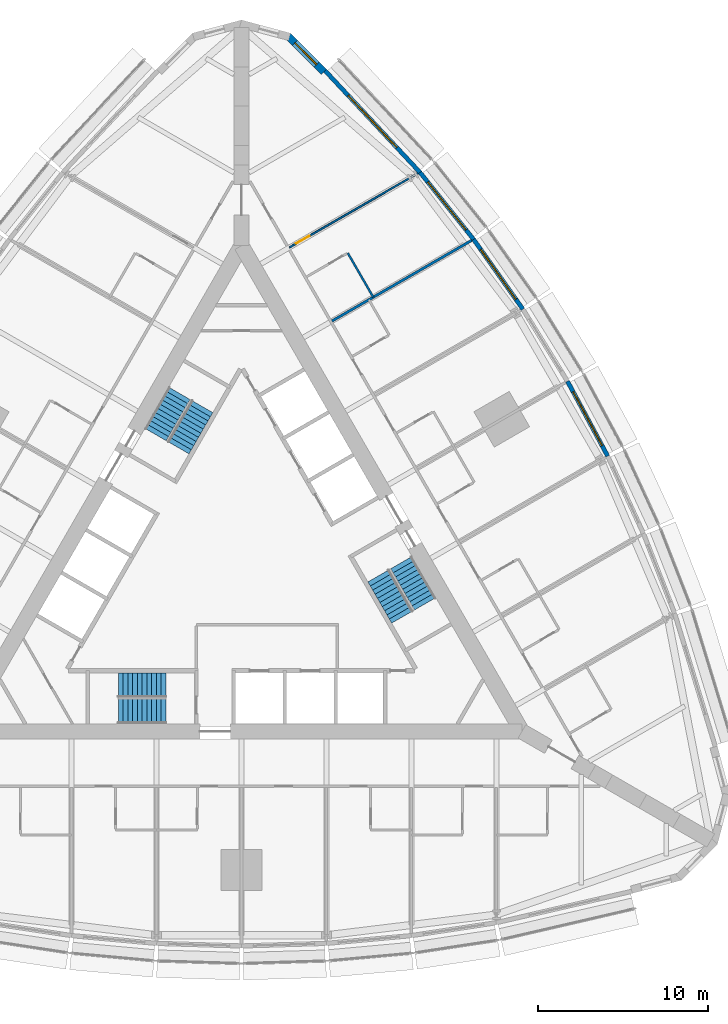
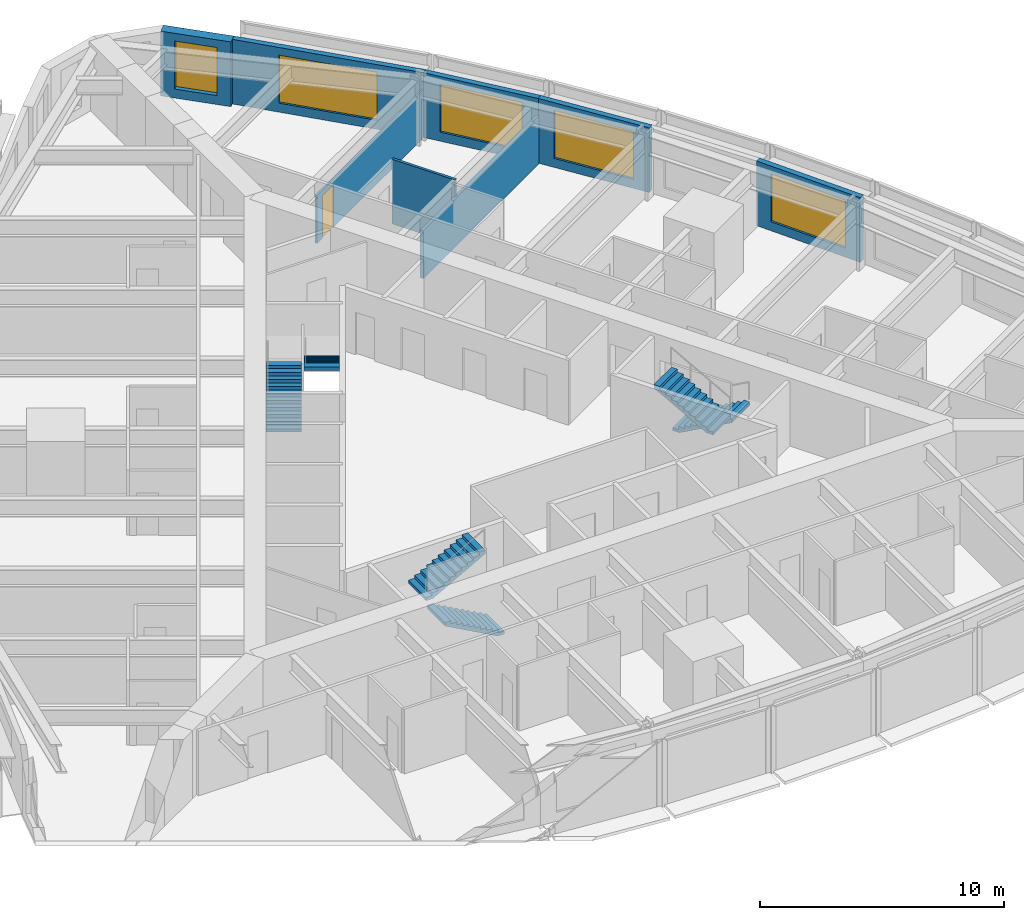
# One storey, part 13 of 14: 8 walls, 6 stair flights, 5 windows, 1 door, 6 openings, 3 elements without a shape of their own.
"""IFC4 building model written with IfcOpenShell, lengths in metres."""

from ifc_helpers import new_model, si_unit, direction, frame, frame_2d, origin, place, context, subcontext, project, spatial, polyline, rectangle, outline, extrude, material, layer, layer_set, type_object, element, fill, aggregate, save


model = new_model("IFC4")

# Units and contexts
model_context = context("Model", 3, precision=1e-05, world=origin(), true_north=direction((0.0, 1.0)))
body_context = subcontext(model_context, "Body", "Model", "MODEL_VIEW")
ifc_project = project(units=[si_unit("LENGTHUNIT", "METRE"), si_unit("AREAUNIT", "SQUARE_METRE"), si_unit("VOLUMEUNIT", "CUBIC_METRE"), si_unit("PLANEANGLEUNIT", "RADIAN"), si_unit("MASSUNIT", "GRAM", prefix="KILO")], contexts=[model_context])

# Site, building, storey
site_placement = place(None, origin())
site = spatial("IfcSite", under=ifc_project, at=site_placement, CompositionType="ELEMENT")
building_placement = place(site_placement, origin())
building = spatial("IfcBuilding", under=site, at=building_placement, Name="Trikona Tower", CompositionType="ELEMENT")
storey_placement = place(building_placement, frame((0.0, 0.0, 28.5)))
storey = spatial("IfcBuildingStorey", under=building, at=storey_placement, Name="L05", CompositionType="ELEMENT", Elevation=28.5)

# Wall
ifc_material_1 = material(Name="Metal stud and cement board", Category="gypsum")
ifc_layer_1 = layer(ifc_material_1, 0.1201171875)
ifc_layer_set_1 = layer_set([ifc_layer_1], Name="Bathroom wall 120")
wall_type_1 = type_object("IfcWallType", Name="Bathroom wall 120", PredefinedType="PLUMBINGWALL", material=ifc_layer_set_1)
wall_1_placement = place(storey_placement, frame((7.75341796875, 16.0234375, 0.0), z_axis=(0.0, 0.0, 1.0), x_axis=(-0.499990139034, 0.866031096941, 0.0)))
element("IfcWall", 1, at=wall_1_placement, inside=storey, type_object=wall_type_1, Name="Bathroom wall 0513.1", PredefinedType="PLUMBINGWALL", context=body_context, shape_type="SweptSolid", body=[
    extrude(rectangle(XDim=3.0, YDim=0.1201171875, at=frame_2d((1.5, 0.0))), origin(), (0.0, 0.0, 1.0), 3.235107421875),
])

# Wall, opening, window
ifc_material_2 = material(Name="Brick-faced precast concrete", Category="masonry")
ifc_layer_2 = layer(ifc_material_2, 0.449951171875)
ifc_layer_set_2 = layer_set([ifc_layer_2], Name="Brick-faced corner wall 450")
wall_type_2 = type_object("IfcWallType", Name="Brick-faced corner wall 450", PredefinedType="SOLIDWALL", material=ifc_layer_set_2)
wall_2_placement = place(storey_placement, frame((4.8408203125, 29.285888671875, 0.0), z_axis=(0.0, 0.0, 1.0), x_axis=(-0.707106781187, 0.707106781187, 0.0)))
wall_2 = element("IfcWall", 2, at=wall_2_placement, inside=storey, type_object=wall_type_2, Name="External wall L05-20", PredefinedType="SOLIDWALL", context=body_context, shape_type="SweptSolid", body=[
    extrude(rectangle(XDim=2.98828125, YDim=0.449951171875, at=frame_2d((1.494140625, 0.0))), origin(), (0.0, 0.0, 1.0), 3.235107421875),
])
opening_1_placement = place(wall_2_placement, frame((0.59423828125, 0.0, 0.449951171875)))
opening_1 = element("IfcOpeningElement", 3, at=opening_1_placement, cuts=wall_2, Name="Opening W1824", PredefinedType="OPENING", context=body_context, shape_type="SweptSolid", body=[
    extrude(rectangle(XDim=1.800048828125, YDim=2.39990234375, at=frame_2d((0.89990234375, 1.199951171875))), frame((0.0, 0.23486328125, 0.0), z_axis=(0.0, -1.0, 0.0), x_axis=(1.0, 0.0, 0.0)), (0.0, 0.0, 1.0), 0.469970703125),
])
ifc_material_3 = material(Name="Aluminium-framed double glazing", Category="aluminium")
window_type_1 = type_object("IfcWindowType", Name="Window 1800x2400", PartitioningType="SINGLE_PANEL", PredefinedType="WINDOW", material=ifc_material_3)
window_1_placement = place(opening_1_placement, origin())
window_1 = element("IfcWindow", 4, at=window_1_placement, inside=storey, type_object=window_type_1, Name="Window 0513", OverallHeight=2.39990234375, OverallWidth=1.800048828125, PartitioningType="SINGLE_PANEL", PredefinedType="WINDOW", context=body_context, shape_type="SweptSolid", body=[
    extrude(rectangle(XDim=1.800048828125, YDim=2.39990234375, at=frame_2d((0.89990234375, 1.199951171875))), frame((0.0, 0.030029296875, 0.0), z_axis=(0.0, -1.0, 0.0), x_axis=(1.0, 0.0, 0.0)), (0.0, 0.0, 1.0), 0.06005859375),
])
fill(opening_1, window_1)

ifc_material_4 = material(Name="Insulated precast concrete spandrel panel", Category="concrete")
ifc_layer_3 = layer(ifc_material_4, 0.25)
ifc_layer_set_3 = layer_set([ifc_layer_3], Name="Inner skin wall 250")
wall_type_3 = type_object("IfcWallType", Name="Inner skin wall 250", PredefinedType="STANDARD", material=ifc_layer_set_3)
wall_3_placement = place(storey_placement, frame((21.546630859375, 6.6708984375, 0.0), z_axis=(0.0, 0.0, 1.0), x_axis=(-0.473412820489, 0.880840678782, 0.0)))
wall_3 = element("IfcWall", 5, at=wall_3_placement, inside=storey, type_object=wall_type_3, Name="External wall L05-15", PredefinedType="STANDARD", context=body_context, shape_type="SweptSolid", body=[
    extrude(rectangle(XDim=5.00244140625, YDim=0.25, at=frame_2d((2.501220703125, 0.0))), origin(), (0.0, 0.0, 1.0), 3.235107421875),
])
opening_2_placement = place(wall_3_placement, frame((0.701171875, 0.0, 0.449951171875)))
opening_2 = element("IfcOpeningElement", 6, at=opening_2_placement, cuts=wall_3, Name="Opening W3624", PredefinedType="OPENING", context=body_context, shape_type="SweptSolid", body=[
    extrude(rectangle(XDim=3.60009765625, YDim=2.39990234375, at=frame_2d((1.800048828125, 1.199951171875))), frame((0.0, 0.135009765625, 0.0), z_axis=(0.0, -1.0, 0.0), x_axis=(1.0, 0.0, 0.0)), (0.0, 0.0, 1.0), 0.27001953125),
])
ifc_material_5 = material(Name="Aluminium-framed double glazing", Category="aluminium")
window_type_2 = type_object("IfcWindowType", Name="Window 3600x2400", PartitioningType="SINGLE_PANEL", PredefinedType="WINDOW", material=ifc_material_5)
window_2_placement = place(opening_2_placement, origin())
window_2 = element("IfcWindow", 7, at=window_2_placement, inside=storey, type_object=window_type_2, Name="Window 0510", OverallHeight=2.39990234375, OverallWidth=3.60009765625, PartitioningType="SINGLE_PANEL", PredefinedType="WINDOW", context=body_context, shape_type="SweptSolid", body=[
    extrude(rectangle(XDim=3.60009765625, YDim=2.39990234375, at=frame_2d((1.800048828125, 1.199951171875))), frame((0.0, 0.030029296875, 0.0), z_axis=(0.0, -1.0, 0.0), x_axis=(1.0, 0.0, 0.0)), (0.0, 0.0, 1.0), 0.06005859375),
])
fill(opening_2, window_2)

wall_4_placement = place(storey_placement, frame((16.5546875, 15.318115234375, 0.0), z_axis=(0.0, 0.0, 1.0), x_axis=(-0.5766431066, 0.81699616132, 0.0)))
wall_4 = element("IfcWall", 8, at=wall_4_placement, inside=storey, type_object=wall_type_3, Name="External wall L05-17", PredefinedType="STANDARD", context=body_context, shape_type="SweptSolid", body=[
    extrude(rectangle(XDim=5.02099609375, YDim=0.25, at=frame_2d((2.510498046875, 0.0))), origin(), (0.0, 0.0, 1.0), 3.235107421875),
])
opening_3_placement = place(wall_4_placement, frame((0.71044921875, 0.0, 0.449951171875)))
opening_3 = element("IfcOpeningElement", 9, at=opening_3_placement, cuts=wall_4, Name="Opening W3624", PredefinedType="OPENING", context=body_context, shape_type="SweptSolid", body=[
    extrude(rectangle(XDim=3.60009765625, YDim=2.39990234375, at=frame_2d((1.800048828125, 1.199951171875))), frame((0.0, 0.135009765625, 0.0), z_axis=(0.0, -1.0, 0.0), x_axis=(1.0, 0.0, 0.0)), (0.0, 0.0, 1.0), 0.27001953125),
])
window_3_placement = place(opening_3_placement, origin())
window_3 = element("IfcWindow", 10, at=window_3_placement, inside=storey, type_object=window_type_2, Name="Window 0512", OverallHeight=2.39990234375, OverallWidth=3.60009765625, PartitioningType="SINGLE_PANEL", PredefinedType="WINDOW", context=body_context, shape_type="SweptSolid", body=[
    extrude(rectangle(XDim=3.60009765625, YDim=2.39990234375, at=frame_2d((1.800048828125, 1.199951171875))), frame((0.0, 0.030029296875, 0.0), z_axis=(0.0, -1.0, 0.0), x_axis=(1.0, 0.0, 0.0)), (0.0, 0.0, 1.0), 0.06005859375),
])
fill(opening_3, window_3)

wall_5_placement = place(storey_placement, frame((13.663818359375, 19.4140625, 0.0), z_axis=(0.0, 0.0, 1.0), x_axis=(-0.624594965756, 0.780948864364, 0.0)))
wall_5 = element("IfcWall", 11, at=wall_5_placement, inside=storey, type_object=wall_type_3, Name="External wall L05-18", PredefinedType="STANDARD", context=body_context, shape_type="SweptSolid", body=[
    extrude(rectangle(XDim=5.0576171875, YDim=0.25, at=frame_2d((2.52880859375, 0.0))), origin(), (0.0, 0.0, 1.0), 3.235107421875),
])
opening_4_placement = place(wall_5_placement, frame((0.728759765625, 0.0, 0.449951171875)))
opening_4 = element("IfcOpeningElement", 12, at=opening_4_placement, cuts=wall_5, Name="Opening W3624", PredefinedType="OPENING", context=body_context, shape_type="SweptSolid", body=[
    extrude(rectangle(XDim=3.60009765625, YDim=2.39990234375, at=frame_2d((1.800048828125, 1.199951171875))), frame((0.0, 0.135009765625, 0.0), z_axis=(0.0, -1.0, 0.0), x_axis=(1.0, 0.0, 0.0)), (0.0, 0.0, 1.0), 0.27001953125),
])
window_4_placement = place(opening_4_placement, origin())
window_4 = element("IfcWindow", 13, at=window_4_placement, inside=storey, type_object=window_type_2, Name="Window 0513.1", OverallHeight=2.39990234375, OverallWidth=3.60009765625, PartitioningType="SINGLE_PANEL", PredefinedType="WINDOW", context=body_context, shape_type="SweptSolid", body=[
    extrude(rectangle(XDim=3.60009765625, YDim=2.39990234375, at=frame_2d((1.800048828125, 1.199951171875))), frame((0.0, 0.030029296875, 0.0), z_axis=(0.0, -1.0, 0.0), x_axis=(1.0, 0.0, 0.0)), (0.0, 0.0, 1.0), 0.06005859375),
])
fill(opening_4, window_4)

wall_6_placement = place(storey_placement, frame((10.510986328125, 23.356689453125, 0.0), z_axis=(0.0, 0.0, 1.0), x_axis=(-0.682289646561, 0.731081964075, 0.0)))
wall_6 = element("IfcWall", 14, at=wall_6_placement, inside=storey, type_object=wall_type_3, Name="External wall L05-19", PredefinedType="STANDARD", context=body_context, shape_type="SweptSolid", body=[
    extrude(rectangle(XDim=8.2109375, YDim=0.25, at=frame_2d((4.10546875, 0.0))), origin(), (0.0, 0.0, 1.0), 3.235107421875),
])
opening_5_placement = place(wall_6_placement, frame((2.005615234375, 0.0, 0.449951171875)))
opening_5 = element("IfcOpeningElement", 15, at=opening_5_placement, cuts=wall_6, Name="Opening W4224", PredefinedType="OPENING", context=body_context, shape_type="SweptSolid", body=[
    extrude(rectangle(XDim=4.199951171875, YDim=2.39990234375, at=frame_2d((2.10009765625, 1.199951171875))), frame((0.0, 0.135009765625, 0.0), z_axis=(0.0, -1.0, 0.0), x_axis=(1.0, 0.0, 0.0)), (0.0, 0.0, 1.0), 0.27001953125),
])
ifc_material_6 = material(Name="Aluminium-framed double glazing", Category="aluminium")
window_type_3 = type_object("IfcWindowType", Name="Window 4200x2400", PartitioningType="SINGLE_PANEL", PredefinedType="WINDOW", material=ifc_material_6)
window_5_placement = place(opening_5_placement, origin())
window_5 = element("IfcWindow", 16, at=window_5_placement, inside=storey, type_object=window_type_3, Name="Window 0513", OverallHeight=2.39990234375, OverallWidth=4.199951171875, PartitioningType="SINGLE_PANEL", PredefinedType="WINDOW", context=body_context, shape_type="SweptSolid", body=[
    extrude(rectangle(XDim=4.199951171875, YDim=2.39990234375, at=frame_2d((2.10009765625, 1.199951171875))), frame((0.0, 0.030029296875, 0.0), z_axis=(0.0, -1.0, 0.0), x_axis=(1.0, 0.0, 0.0)), (0.0, 0.0, 1.0), 0.06005859375),
])
fill(opening_5, window_5)

# Wall
ifc_material_7 = material(Name="Metal stud and gypsum board, 1-hour acoustic", Category="gypsum")
ifc_layer_4 = layer(ifc_material_7, 0.14990234375)
ifc_layer_set_4 = layer_set([ifc_layer_4], Name="Party wall 150")
wall_type_4 = type_object("IfcWallType", Name="Party wall 150", PredefinedType="PARTITIONING", material=ifc_layer_set_4)
wall_7_placement = place(storey_placement, frame((5.32861328125, 14.623291015625, 0.0), z_axis=(0.0, 0.0, 1.0), x_axis=(0.866018409083, 0.500012114982, 0.0)))
element("IfcWall", 17, at=wall_7_placement, inside=storey, type_object=wall_type_4, Name="Partition L05 F2 u10", PredefinedType="PARTITIONING", context=body_context, shape_type="SweptSolid", body=[
    extrude(rectangle(XDim=9.484619140625, YDim=0.14990234375, at=frame_2d((4.7421875, 0.0))), origin(), (0.0, 0.0, 1.0), 2.38916015625),
])

# Wall, opening, door
ifc_material_8 = material(Name="Metal stud and gypsum board, acoustic", Category="gypsum")
ifc_layer_5 = layer(ifc_material_8, 0.10009765625)
ifc_layer_set_5 = layer_set([ifc_layer_5], Name="Suite partition 100")
wall_type_5 = type_object("IfcWallType", Name="Suite partition 100", PredefinedType="PARTITIONING", material=ifc_layer_set_5)
wall_8_placement = place(storey_placement, frame((2.82861328125, 18.95361328125, 0.0), z_axis=(0.0, 0.0, 1.0), x_axis=(0.866020536561, 0.500008430184, 0.0)))
wall_8 = element("IfcWall", 18, at=wall_8_placement, inside=storey, type_object=wall_type_5, Name="Suite partition L05 F2 u15", PredefinedType="PARTITIONING", context=body_context, shape_type="SweptSolid", body=[
    extrude(rectangle(XDim=8.719970703125, YDim=0.10009765625, at=frame_2d((4.35986328125, 0.0))), origin(), (0.0, 0.0, 1.0), 2.38916015625),
])
opening_6_placement = place(wall_8_placement, frame((0.449951171875, 0.0, 0.0)))
opening_6 = element("IfcOpeningElement", 19, at=opening_6_placement, cuts=wall_8, Name="Opening D13", PredefinedType="OPENING", context=body_context, shape_type="SweptSolid", body=[
    extrude(rectangle(XDim=0.89990234375, YDim=2.1298828125, at=frame_2d((0.449951171875, 1.06494140625))), frame((0.0, 0.06005859375, 0.0), z_axis=(0.0, -1.0, 0.0), x_axis=(1.0, 0.0, 0.0)), (0.0, 0.0, 1.0), 0.1201171875),
])
ifc_material_9 = material(Name="Steel door frame with solid-core timber leaf", Category="steel")
door_type = type_object("IfcDoorType", Name="Suite door 900x2130", OperationType="SINGLE_SWING_LEFT", PredefinedType="DOOR", material=ifc_material_9)
door_placement = place(opening_6_placement, origin())
door = element("IfcDoor", 20, at=door_placement, inside=storey, type_object=door_type, Name="Suite door 0513", OperationType="SINGLE_SWING_LEFT", OverallHeight=2.1298828125, OverallWidth=0.89990234375, PredefinedType="DOOR", context=body_context, shape_type="SweptSolid", body=[
    extrude(rectangle(XDim=0.89990234375, YDim=2.1298828125, at=frame_2d((0.449951171875, 1.06494140625))), frame((0.0, 0.02490234375, 0.0), z_axis=(0.0, -1.0, 0.0), x_axis=(1.0, 0.0, 0.0)), (0.0, 0.0, 1.0), 0.050048828125),
])
fill(opening_6, door)

# Stair, stair flights
ifc_material_10 = material(Name="Concrete f'c 5000 psi", Category="concrete")
stair_type = type_object("IfcStairType", Name="Core stair", PredefinedType="HALF_TURN_STAIR", material=ifc_material_10)
stair_1_placement = place(storey_placement, origin())
stair_1 = element("IfcStair", 21, at=stair_1_placement, inside=storey, type_object=stair_type, Name="Stair A L05", PredefinedType="HALF_TURN_STAIR")
ifc_material_11 = material(Name="Concrete f'c 5000 psi", Category="concrete")
stair_flight_type = type_object("IfcStairFlightType", Name="Core stair flight 1450", PredefinedType="STRAIGHT", material=ifc_material_11)
stair_flight_1_placement = place(storey_placement, frame((-4.449951171875, -8.351318359375, 0.0), z_axis=(0.0, 0.0, 1.0), x_axis=(-1.0, 0.0, 0.0)))
stair_flight_1 = element("IfcStairFlight", 22, at=stair_flight_1_placement, type_object=stair_flight_type, Name="ST-A flight 1", NumberOfRisers=11, NumberOfTreads=10, PredefinedType="STRAIGHT", RiserHeight=0.154545, TreadLength=0.28, context=body_context, shape_type="SweptSolid", body=[
    extrude(outline(polyline([(0.0, 0.0), (0.0, 0.154541015625), (0.280029296875, 0.154541015625), (0.280029296875, 0.30908203125), (0.56005859375, 0.30908203125), (0.56005859375, 0.463623046875), (0.840087890625, 0.463623046875), (0.840087890625, 0.6181640625), (1.1201171875, 0.6181640625), (1.1201171875, 0.772705078125), (1.39990234375, 0.772705078125), (1.39990234375, 0.92724609375), (1.679931640625, 0.92724609375), (1.679931640625, 1.081787109375), (1.9599609375, 1.081787109375), (1.9599609375, 1.236328125), (2.239990234375, 1.236328125), (2.239990234375, 1.390869140625), (2.52001953125, 1.390869140625), (2.52001953125, 1.54541015625), (2.800048828125, 1.54541015625), (2.800048828125, 1.699951171875), (2.800048828125, 1.374267578125), (0.310302734375, 0.0), (0.0, 0.0)])), frame((0.0, 0.72509765625, 0.0), z_axis=(0.0, -1.0, 0.0), x_axis=(1.0, 0.0, 0.0)), (0.0, 0.0, 1.0), 1.449951171875),
])
stair_flight_2_placement = place(storey_placement, frame((-7.25, -6.80126953125, 1.699951171875), z_axis=(0.0, 0.0, 1.0), x_axis=(1.0, 0.0, 0.0)))
stair_flight_2 = element("IfcStairFlight", 23, at=stair_flight_2_placement, type_object=stair_flight_type, Name="ST-A flight 2", NumberOfRisers=11, NumberOfTreads=10, PredefinedType="STRAIGHT", RiserHeight=0.154545, TreadLength=0.28, context=body_context, shape_type="SweptSolid", body=[
    extrude(outline(polyline([(0.0, 0.0), (0.0, 0.154541015625), (0.280029296875, 0.154541015625), (0.280029296875, 0.30908203125), (0.56005859375, 0.30908203125), (0.56005859375, 0.463623046875), (0.840087890625, 0.463623046875), (0.840087890625, 0.6181640625), (1.1201171875, 0.6181640625), (1.1201171875, 0.772705078125), (1.39990234375, 0.772705078125), (1.39990234375, 0.92724609375), (1.679931640625, 0.92724609375), (1.679931640625, 1.081787109375), (1.9599609375, 1.081787109375), (1.9599609375, 1.236328125), (2.239990234375, 1.236328125), (2.239990234375, 1.390869140625), (2.52001953125, 1.390869140625), (2.52001953125, 1.54541015625), (2.800048828125, 1.54541015625), (2.800048828125, 1.699951171875), (2.800048828125, 1.374267578125), (0.310302734375, 0.0), (0.0, 0.0)])), frame((0.0, 0.72509765625, 0.0), z_axis=(0.0, -1.0, 0.0), x_axis=(1.0, 0.0, 0.0)), (0.0, 0.0, 1.0), 1.449951171875),
])
aggregate(stair_1, [stair_flight_1, stair_flight_2])

stair_2_placement = place(storey_placement, origin())
stair_2 = element("IfcStair", 24, at=stair_2_placement, inside=storey, type_object=stair_type, Name="Stair B L05", PredefinedType="HALF_TURN_STAIR")
stair_flight_3_placement = place(storey_placement, frame((9.407470703125, 0.408447265625, 0.0), z_axis=(0.0, 0.0, 1.0), x_axis=(0.5, -0.866025403784, 0.0)))
stair_flight_3 = element("IfcStairFlight", 25, at=stair_flight_3_placement, type_object=stair_flight_type, Name="ST-B flight 1", NumberOfRisers=11, NumberOfTreads=10, PredefinedType="STRAIGHT", RiserHeight=0.154545, TreadLength=0.28, context=body_context, shape_type="SweptSolid", body=[
    extrude(outline(polyline([(0.0, 0.0), (0.0, 0.154541015625), (0.280029296875, 0.154541015625), (0.280029296875, 0.30908203125), (0.56005859375, 0.30908203125), (0.56005859375, 0.463623046875), (0.840087890625, 0.463623046875), (0.840087890625, 0.6181640625), (1.1201171875, 0.6181640625), (1.1201171875, 0.772705078125), (1.39990234375, 0.772705078125), (1.39990234375, 0.92724609375), (1.679931640625, 0.92724609375), (1.679931640625, 1.081787109375), (1.9599609375, 1.081787109375), (1.9599609375, 1.236328125), (2.239990234375, 1.236328125), (2.239990234375, 1.390869140625), (2.52001953125, 1.390869140625), (2.52001953125, 1.54541015625), (2.800048828125, 1.54541015625), (2.800048828125, 1.699951171875), (2.800048828125, 1.374267578125), (0.310302734375, 0.0), (0.0, 0.0)])), frame((0.0, 0.72509765625, 0.0), z_axis=(0.0, -1.0, 0.0), x_axis=(1.0, 0.0, 0.0)), (0.0, 0.0, 1.0), 1.449951171875),
])
stair_flight_4_placement = place(storey_placement, frame((9.465087890625, -2.79150390625, 1.699951171875), z_axis=(0.0, 0.0, 1.0), x_axis=(-0.5, 0.866025403784, 0.0)))
stair_flight_4 = element("IfcStairFlight", 26, at=stair_flight_4_placement, type_object=stair_flight_type, Name="ST-B flight 2", NumberOfRisers=11, NumberOfTreads=10, PredefinedType="STRAIGHT", RiserHeight=0.154545, TreadLength=0.28, context=body_context, shape_type="SweptSolid", body=[
    extrude(outline(polyline([(0.0, 0.0), (0.0, 0.154541015625), (0.280029296875, 0.154541015625), (0.280029296875, 0.30908203125), (0.56005859375, 0.30908203125), (0.56005859375, 0.463623046875), (0.840087890625, 0.463623046875), (0.840087890625, 0.6181640625), (1.1201171875, 0.6181640625), (1.1201171875, 0.772705078125), (1.39990234375, 0.772705078125), (1.39990234375, 0.92724609375), (1.679931640625, 0.92724609375), (1.679931640625, 1.081787109375), (1.9599609375, 1.081787109375), (1.9599609375, 1.236328125), (2.239990234375, 1.236328125), (2.239990234375, 1.390869140625), (2.52001953125, 1.390869140625), (2.52001953125, 1.54541015625), (2.800048828125, 1.54541015625), (2.800048828125, 1.699951171875), (2.800048828125, 1.374267578125), (0.310302734375, 0.0), (0.0, 0.0)])), frame((0.0, 0.72509765625, 0.0), z_axis=(0.0, -1.0, 0.0), x_axis=(1.0, 0.0, 0.0)), (0.0, 0.0, 1.0), 1.449951171875),
])
aggregate(stair_2, [stair_flight_3, stair_flight_4])

stair_3_placement = place(storey_placement, origin())
stair_3 = element("IfcStair", 27, at=stair_3_placement, inside=storey, type_object=stair_type, Name="Stair C L05", PredefinedType="HALF_TURN_STAIR")
stair_flight_5_placement = place(storey_placement, frame((-5.057373046875, 7.94287109375, 0.0), z_axis=(0.0, 0.0, 1.0), x_axis=(0.5, 0.866025403784, 0.0)))
stair_flight_5 = element("IfcStairFlight", 28, at=stair_flight_5_placement, type_object=stair_flight_type, Name="ST-C flight 1", NumberOfRisers=11, NumberOfTreads=10, PredefinedType="STRAIGHT", RiserHeight=0.154545, TreadLength=0.28, context=body_context, shape_type="SweptSolid", body=[
    extrude(outline(polyline([(0.0, 0.0), (0.0, 0.154541015625), (0.280029296875, 0.154541015625), (0.280029296875, 0.30908203125), (0.56005859375, 0.30908203125), (0.56005859375, 0.463623046875), (0.840087890625, 0.463623046875), (0.840087890625, 0.6181640625), (1.1201171875, 0.6181640625), (1.1201171875, 0.772705078125), (1.39990234375, 0.772705078125), (1.39990234375, 0.92724609375), (1.679931640625, 0.92724609375), (1.679931640625, 1.081787109375), (1.9599609375, 1.081787109375), (1.9599609375, 1.236328125), (2.239990234375, 1.236328125), (2.239990234375, 1.390869140625), (2.52001953125, 1.390869140625), (2.52001953125, 1.54541015625), (2.800048828125, 1.54541015625), (2.800048828125, 1.699951171875), (2.800048828125, 1.374267578125), (0.310302734375, 0.0), (0.0, 0.0)])), frame((0.0, 0.72509765625, 0.0), z_axis=(0.0, -1.0, 0.0), x_axis=(1.0, 0.0, 0.0)), (0.0, 0.0, 1.0), 1.449951171875),
])
stair_flight_6_placement = place(storey_placement, frame((-2.315185546875, 9.5927734375, 1.699951171875), z_axis=(0.0, 0.0, 1.0), x_axis=(-0.5, -0.866025403784, 0.0)))
stair_flight_6 = element("IfcStairFlight", 29, at=stair_flight_6_placement, type_object=stair_flight_type, Name="ST-C flight 2", NumberOfRisers=11, NumberOfTreads=10, PredefinedType="STRAIGHT", RiserHeight=0.154545, TreadLength=0.28, context=body_context, shape_type="SweptSolid", body=[
    extrude(outline(polyline([(0.0, 0.0), (0.0, 0.154541015625), (0.280029296875, 0.154541015625), (0.280029296875, 0.30908203125), (0.56005859375, 0.30908203125), (0.56005859375, 0.463623046875), (0.840087890625, 0.463623046875), (0.840087890625, 0.6181640625), (1.1201171875, 0.6181640625), (1.1201171875, 0.772705078125), (1.39990234375, 0.772705078125), (1.39990234375, 0.92724609375), (1.679931640625, 0.92724609375), (1.679931640625, 1.081787109375), (1.9599609375, 1.081787109375), (1.9599609375, 1.236328125), (2.239990234375, 1.236328125), (2.239990234375, 1.390869140625), (2.52001953125, 1.390869140625), (2.52001953125, 1.54541015625), (2.800048828125, 1.54541015625), (2.800048828125, 1.699951171875), (2.800048828125, 1.374267578125), (0.310302734375, 0.0), (0.0, 0.0)])), frame((0.0, 0.72509765625, 0.0), z_axis=(0.0, -1.0, 0.0), x_axis=(1.0, 0.0, 0.0)), (0.0, 0.0, 1.0), 1.449951171875),
])
aggregate(stair_3, [stair_flight_5, stair_flight_6])

save(model, "model.ifc")
